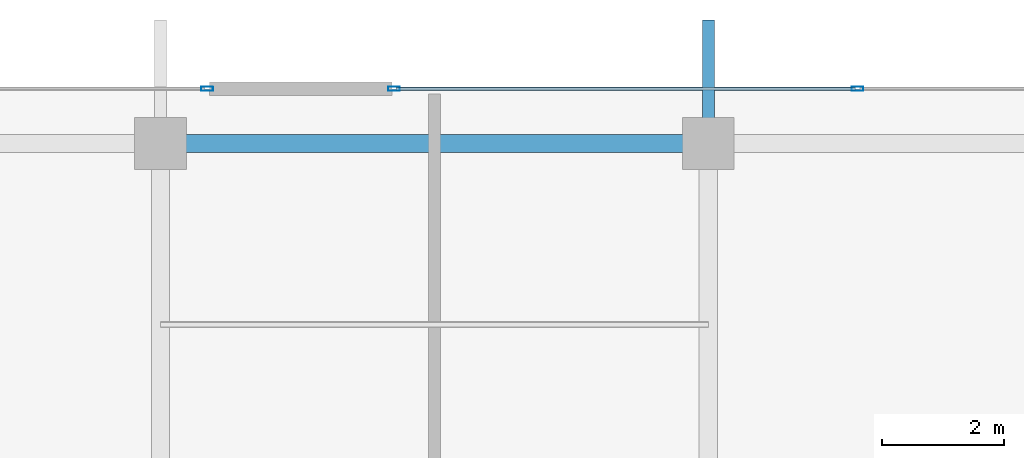
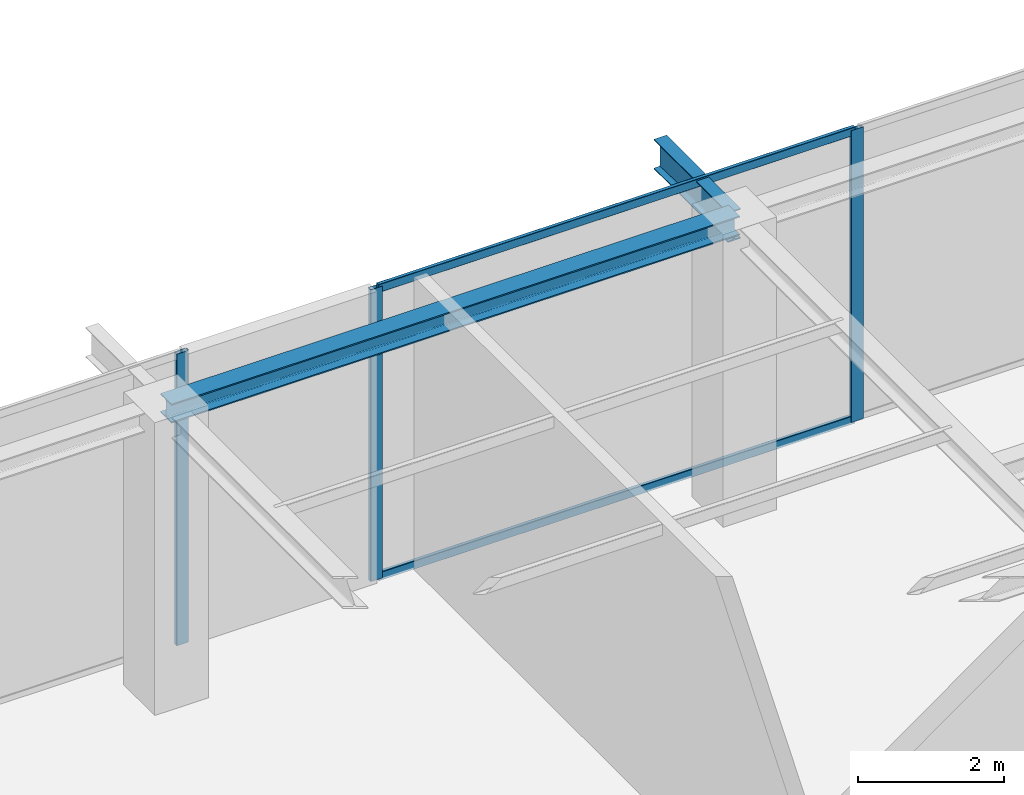
# One storey, part 21 of 27: 5 members, 2 beams, 2 elements without a shape of their own.
"""IFC4 building model written with IfcOpenShell, lengths in metres."""

from ifc_helpers import new_model, si_unit, direction, frame, origin, origin_2d, place, context, subcontext, project, spatial, hollow_rectangle, i_section, extrude, source, transform, mapped, material, layer, layer_set, material_profile, profile_set, type_object, element, aggregate, save


model = new_model("IFC4")

# Units and contexts
model_context = context("Model", 3, precision=1e-05, world=origin(), true_north=direction((0.0, 1.0)))
body_context = subcontext(model_context, "Body", "Model", "MODEL_VIEW")
ifc_project = project(units=[si_unit("LENGTHUNIT", "METRE"), si_unit("AREAUNIT", "SQUARE_METRE"), si_unit("VOLUMEUNIT", "CUBIC_METRE"), si_unit("PLANEANGLEUNIT", "RADIAN"), si_unit("MASSUNIT", "GRAM", prefix="KILO")], contexts=[model_context])

# Site, building, storey
site_placement = place(None, origin())
site = spatial("IfcSite", under=ifc_project, at=site_placement, CompositionType="ELEMENT")
building_placement = place(site_placement, origin())
building = spatial("IfcBuilding", under=site, at=building_placement, Name="Serunith Strait Residences", CompositionType="ELEMENT")
storey_placement = place(building_placement, frame((0.0, 0.0, 365.75)))
storey = spatial("IfcBuildingStorey", under=building, at=storey_placement, Name="L89", CompositionType="ELEMENT", Elevation=365.75)

# Beams
ifc_material_1 = material(Name="Steel S355J2", Category="steel")
ifc_material_profile_1 = material_profile(ifc_material_1, i_section(OverallWidth=0.300048828125, OverallDepth=0.320068359375, WebThickness=0.011474609375, FlangeThickness=0.0205078125, FilletRadius=0.027099609375, at=origin_2d()), Name="HEB 320")
ifc_profile_set_1 = profile_set([ifc_material_profile_1], Name="Steel S355J2")
beam_type_1 = type_object("IfcBeamType", Name="BM-HEB320", PredefinedType="BEAM", material=ifc_profile_set_1)
shared_shape_1 = source(origin(), body_context, "Body", "SweptSolid", [
    extrude(i_section(OverallWidth=0.300048828125, OverallDepth=0.320068359375, WebThickness=0.011474609375, FlangeThickness=0.0205078125, FilletRadius=0.027099609375, at=origin_2d()), origin(), (0.0, 0.0, 1.0), 9.0),
])
beam_1_placement = place(storey_placement, frame((36.89990234375, 45.5, 4.737060546875), z_axis=(-1.0, 0.0, 0.0), x_axis=(0.0, -1.0, 0.0)))
element("IfcBeam", 1, at=beam_1_placement, inside=storey, type_object=beam_type_1, Name="L89 Perimeter Ring Beam 10", PredefinedType="BEAM", context=body_context, shape_type="MappedRepresentation", body=[
    mapped(shared_shape_1, transform((0.0, 0.0, 0.0), scale=1.0)),
])
ifc_material_profile_2 = material_profile(ifc_material_1, i_section(OverallWidth=0.199951171875, OverallDepth=0.5, WebThickness=0.01025390625, FlangeThickness=0.01611328125, FilletRadius=0.02099609375, at=origin_2d()), Name="IPE 500")
ifc_profile_set_2 = profile_set([ifc_material_profile_2], Name="Steel S355J2")
beam_type_2 = type_object("IfcBeamType", Name="BM-IPE500", PredefinedType="JOIST", material=ifc_profile_set_2)
shared_shape_2 = source(origin(), body_context, "Body", "SweptSolid", [
    extrude(i_section(OverallWidth=0.199951171875, OverallDepth=0.5, WebThickness=0.01025390625, FlangeThickness=0.01611328125, FilletRadius=0.02099609375, at=origin_2d()), origin(), (0.0, 0.0, 1.0), 2.030029296875),
])
beam_2_placement = place(storey_placement, frame((36.89990234375, 45.5, 4.64697265625), z_axis=(0.0, 1.0, 0.0), x_axis=(-1.0, 0.0, 0.0)))
element("IfcBeam", 2, at=beam_2_placement, inside=storey, type_object=beam_type_2, Name="Crown Canopy Cantilever Rafter TC-N3", PredefinedType="JOIST", context=body_context, shape_type="MappedRepresentation", body=[
    mapped(shared_shape_2, transform((0.0, 0.0, 0.0), scale=1.0)),
])

# Curtain wall, members
ifc_material_2 = material(Name="Pale-Silver Anodised Aluminium", Category="aluminium")
ifc_layer = layer(ifc_material_2, 0.199951171875, Name="Pale-Silver Anodised Aluminium")
ifc_layer_set = layer_set([ifc_layer], Name="Pale-Silver Anodised Aluminium")
curtain_wall_type = type_object("IfcCurtainWallType", Name="CW-SYS7", PredefinedType="NOTDEFINED", material=ifc_layer_set)
curtain_wall_1_placement = place(storey_placement, origin())
curtain_wall_1 = element("IfcCurtainWall", 3, at=curtain_wall_1_placement, inside=storey, type_object=curtain_wall_type, Name="L89 N Unitised Fritted Curtain Wall", PredefinedType="NOTDEFINED")
ifc_material_profile_3 = material_profile(ifc_material_2, hollow_rectangle(XDim=0.072021484375, YDim=0.195068359375, WallThickness=0.00390625, InnerFilletRadius=0.006103515625, OuterFilletRadius=0.010009765625, at=origin_2d()), Name="ALU 195x72x4")
ifc_profile_set_3 = profile_set([ifc_material_profile_3], Name="Pale-Silver Anodised Aluminium")
member_type_1 = type_object("IfcMemberType", Name="CW-SYS7-MULL", PredefinedType="MULLION", material=ifc_profile_set_3)
shared_shape_3 = source(origin(), body_context, "Body", "SweptSolid", [
    extrude(hollow_rectangle(XDim=0.072021484375, YDim=0.195068359375, WallThickness=0.00390625, InnerFilletRadius=0.006103515625, OuterFilletRadius=0.010009765625, at=origin_2d()), origin(), (0.0, 0.0, 1.0), 4.885009765625),
])
member_1_placement = place(storey_placement, frame((39.35009765625, 46.39990234375, 0.0), z_axis=(0.0, 0.0, 1.0), x_axis=(0.0, -1.0, 0.0)))
member_1 = element("IfcMember", 4, at=member_1_placement, type_object=member_type_1, Name="CW-7 mullion 2", PredefinedType="MULLION", context=body_context, shape_type="MappedRepresentation", body=[
    mapped(shared_shape_3, transform((0.0, 0.0, 0.0), scale=1.0)),
])
member_2_placement = place(storey_placement, frame((31.736083984375, 46.39990234375, 0.0), z_axis=(0.0, 0.0, 1.0), x_axis=(0.0, -1.0, 0.0)))
member_2 = element("IfcMember", 5, at=member_2_placement, type_object=member_type_1, Name="CW-7 mullion 3", PredefinedType="MULLION", context=body_context, shape_type="MappedRepresentation", body=[
    mapped(shared_shape_3, transform((0.0, 0.0, 0.0), scale=1.0)),
])

# Curtain wall, member
curtain_wall_2_placement = place(storey_placement, origin())
curtain_wall_2 = element("IfcCurtainWall", 6, at=curtain_wall_2_placement, inside=storey, type_object=curtain_wall_type, Name="L89 N Unitised Fritted Curtain Wall", PredefinedType="NOTDEFINED")
member_3_placement = place(storey_placement, frame((28.6640625, 46.39990234375, 0.0), z_axis=(0.0, 0.0, 1.0), x_axis=(0.0, -1.0, 0.0)))
member_3 = element("IfcMember", 7, at=member_3_placement, type_object=member_type_1, Name="CW-7 mullion 1", PredefinedType="MULLION", context=body_context, shape_type="MappedRepresentation", body=[
    mapped(shared_shape_3, transform((0.0, 0.0, 0.0), scale=1.0)),
])
aggregate(curtain_wall_2, [member_3])

# Member
ifc_material_profile_4 = material_profile(ifc_material_2, hollow_rectangle(XDim=0.06005859375, YDim=0.139892578125, WallThickness=0.00341796875, InnerFilletRadius=0.00537109375, OuterFilletRadius=0.0087890625, at=origin_2d()), Name="ALU 140x60x3.5")
ifc_profile_set_4 = profile_set([ifc_material_profile_4], Name="Pale-Silver Anodised Aluminium")
member_type_2 = type_object("IfcMemberType", Name="CW-SYS7-TRAN", PredefinedType="USERDEFINED", material=ifc_profile_set_4)
shared_shape_4 = source(origin(), body_context, "Body", "SweptSolid", [
    extrude(hollow_rectangle(XDim=0.06005859375, YDim=0.139892578125, WallThickness=0.00341796875, InnerFilletRadius=0.00537109375, OuterFilletRadius=0.0087890625, at=origin_2d()), origin(), (0.0, 0.0, 1.0), 7.5419921875),
])
member_4_placement = place(storey_placement, frame((39.31396484375, 46.39990234375, 0.030029296875), z_axis=(-1.0, 0.0, 0.0), x_axis=(0.0, -1.0, 0.0)))
member_4 = element("IfcMember", 8, at=member_4_placement, type_object=member_type_2, Name="CW-7 transom 2.1", ObjectType="TRANSOM", PredefinedType="USERDEFINED", context=body_context, shape_type="MappedRepresentation", body=[
    mapped(shared_shape_4, transform((0.0, 0.0, 0.0), scale=1.0)),
])

member_5_placement = place(storey_placement, frame((39.31396484375, 46.39990234375, 4.85498046875), z_axis=(-1.0, 0.0, 0.0), x_axis=(0.0, -1.0, 0.0)))
member_5 = element("IfcMember", 9, at=member_5_placement, type_object=member_type_2, Name="CW-7 transom 2.2", ObjectType="TRANSOM", PredefinedType="USERDEFINED", context=body_context, shape_type="MappedRepresentation", body=[
    mapped(shared_shape_4, transform((0.0, 0.0, 0.0), scale=1.0)),
])

aggregate(curtain_wall_1, [member_1, member_2, member_4, member_5])

save(model, "model.ifc")
